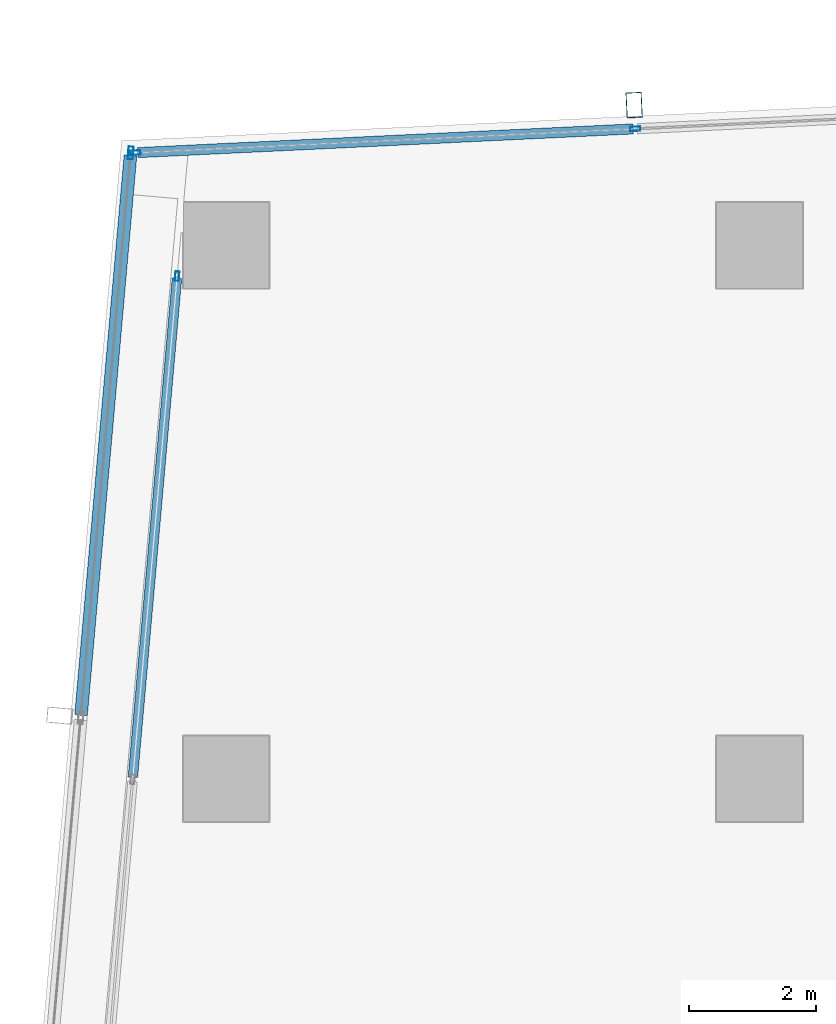
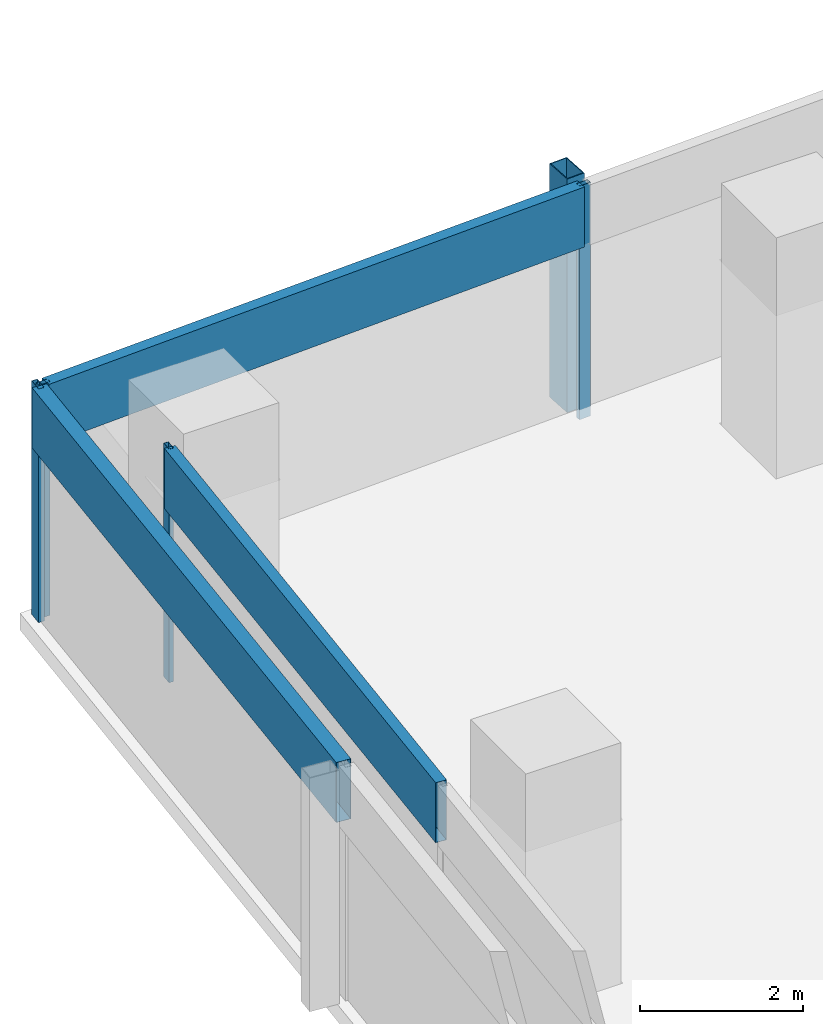
# One storey, part 16 of 39: 8 members, 3 elements without a shape of their own.
"""IFC4 building model written with IfcOpenShell, lengths in metres."""

import ifcopenshell
import ifcopenshell.guid

model = None  # the IFC model being written
_history = None  # IfcOwnerHistory: only IFC2X3 demands one
_inside = {}  # id of a spatial element -> (the spatial element, [elements in it])
_under = {}  # id of a project, library or spatial element -> (it, [spatial elements below it])
_declared = {}  # id of a project -> (the project, [libraries it declares])
_typed = {}  # id of a type object -> (the type object, [elements of that type])
_made_of = {}  # id of a material, layer set ... -> (it, [elements and type objects made of it])


def new_model(schema):
    """Start an empty IFC model of exactly this schema.

    Asked for "IFC4X3", IfcOpenShell would pick the latest addendum, in which some entities
    have other attributes; the version numbers below select the first issue.
    IFC2X3 requires an IfcOwnerHistory on every rooted entity: one is made here for all.
    """
    global model, _history
    if schema == "IFC4X3":
        model = ifcopenshell.file(schema_version=(4, 3, 0, 0))
    else:
        model = ifcopenshell.file(schema=schema)
    _inside.clear()
    _under.clear()
    _declared.clear()
    _typed.clear()
    _made_of.clear()
    _history = None
    if model.schema == "IFC2X3":
        org = make("IfcOrganization", Name="unknown")
        user = make(
            "IfcPersonAndOrganization",
            ThePerson=make("IfcPerson", FamilyName="unknown"),
            TheOrganization=org,
        )
        app = make(
            "IfcApplication",
            ApplicationDeveloper=org,
            Version="unknown",
            ApplicationFullName="unknown",
            ApplicationIdentifier="unknown",
        )
        _history = make(
            "IfcOwnerHistory",
            OwningUser=user,
            OwningApplication=app,
            ChangeAction="ADDED",
            CreationDate=0,
        )
    return model


def make(cls, **values):
    """One entity of the class cls with the attributes given. An attribute that is None is left unset."""
    return model.create_entity(
        cls, **{name: value for name, value in values.items() if value is not None}
    )


def rooted(cls, **values):
    """An entity with a GlobalId (a new one), such as an element, a storey or a relation."""
    return make(cls, GlobalId=ifcopenshell.guid.new(), OwnerHistory=_history, **values)


def si_unit(unit_type, name, prefix=None):
    """IfcSIUnit, for example si_unit("LENGTHUNIT", "METRE", prefix="MILLI")."""
    return make("IfcSIUnit", UnitType=unit_type, Prefix=prefix, Name=name)


def assignment(units):
    """IfcUnitAssignment: the units of a project."""
    return None if units is None else make("IfcUnitAssignment", Units=units)


def point(xyz):
    """IfcCartesianPoint."""
    return None if xyz is None else make("IfcCartesianPoint", Coordinates=xyz)


def direction(xyz):
    """IfcDirection."""
    return None if xyz is None else make("IfcDirection", DirectionRatios=xyz)


def frame(location, z_axis=None, x_axis=None):
    """IfcAxis2Placement3D, a coordinate frame: its origin and axes. An axis left out is left unset."""
    return make(
        "IfcAxis2Placement3D",
        Location=point(location),
        Axis=direction(z_axis),
        RefDirection=direction(x_axis),
    )


def frame_2d(location, x_axis=None):
    """IfcAxis2Placement2D, a coordinate frame in the plane: its origin and x axis."""
    return make(
        "IfcAxis2Placement2D", Location=point(location), RefDirection=direction(x_axis)
    )


def origin():
    """The frame at (0, 0, 0) with its axes left unset."""
    return frame((0.0, 0.0, 0.0))


def origin_2d():
    """The frame at (0, 0) in the plane with its x axis left unset."""
    return frame_2d((0.0, 0.0))


def place(relative_to, where):
    """IfcLocalPlacement: puts the frame where relative to a parent placement (None: the world)."""
    return make(
        "IfcLocalPlacement", PlacementRelTo=relative_to, RelativePlacement=where
    )


def context(
    kind, dimensions, precision=None, world=None, true_north=None, identifier=None
):
    """IfcGeometricRepresentationContext, for example the 3D "Model" context."""
    return make(
        "IfcGeometricRepresentationContext",
        ContextIdentifier=identifier,
        ContextType=kind,
        CoordinateSpaceDimension=dimensions,
        Precision=precision,
        WorldCoordinateSystem=world,
        TrueNorth=true_north,
    )


def subcontext(parent, identifier, kind, view, scale=None):
    """IfcGeometricRepresentationSubContext, for example "Body" below "Model"."""
    return make(
        "IfcGeometricRepresentationSubContext",
        ContextIdentifier=identifier,
        ContextType=kind,
        ParentContext=parent,
        TargetScale=scale,
        TargetView=view,
    )


def project(units=None, contexts=None):
    """IfcProject with its units and contexts."""
    return rooted(
        "IfcProject",
        Name="project",
        RepresentationContexts=contexts,
        UnitsInContext=assignment(units),
    )


def spatial(cls, under=None, at=None, **own):
    """A site, building, storey or space (cls), placed at a placement, below another one or the project."""
    s = rooted(cls, ObjectPlacement=at, **own)
    if under is not None:
        _under.setdefault(under.id(), (under, []))[1].append(s)
    return s


def profile(cls, at=None, kind="AREA", **sizes):
    """A parametric profile (cls). Its sizes go by their IFC names, for example OverallWidth=200.0."""
    return make(cls, ProfileType=kind, Position=at, **sizes)


def hollow_rectangle(**sizes):
    """IfcRectangleHollowProfileDef."""
    return profile("IfcRectangleHollowProfileDef", **sizes)


def extrude(swept, where, along, depth):
    """IfcExtrudedAreaSolid: the profile swept, set in the frame where, extruded along a direction by depth."""
    return make(
        "IfcExtrudedAreaSolid",
        SweptArea=swept,
        Position=where,
        ExtrudedDirection=direction(along),
        Depth=depth,
    )


def shape(context_of_items, identifier, shape_type, items):
    """IfcShapeRepresentation: the items that make up one representation, for example the "Body"."""
    return make(
        "IfcShapeRepresentation",
        ContextOfItems=context_of_items,
        RepresentationIdentifier=identifier,
        RepresentationType=shape_type,
        Items=items,
    )


def material(Name=None, Category=None):
    """IfcMaterial."""
    return make("IfcMaterial", Name=Name, Category=Category)


def material_profile(
    of_material, cross_section, Name=None, Category=None, Priority=None
):
    """IfcMaterialProfile: a cross section and its material."""
    return make(
        "IfcMaterialProfile",
        Name=Name,
        Material=of_material,
        Profile=cross_section,
        Priority=Priority,
        Category=Category,
    )


def profile_set(profiles, Name=None, composite=None):
    """IfcMaterialProfileSet."""
    return make(
        "IfcMaterialProfileSet",
        Name=Name,
        MaterialProfiles=profiles,
        CompositeProfile=composite,
    )


def made_of(thing, what):
    """Note that an element or type object is made of a material, layer set ...; save() writes the relation."""
    if what is not None:
        _made_of.setdefault(what.id(), (what, []))[1].append(thing)
    return thing


def type_object(cls, material=None, **own):
    """A type object (cls), such as IfcWallType, which elements share."""
    return made_of(rooted(cls, **own), material)


def element(
    cls,
    number,
    at=None,
    inside=None,
    cuts=None,
    type_object=None,
    material=None,
    context=None,
    identifier="Body",
    shape_type=None,
    held_by="IfcProductDefinitionShape",
    body=None,
    shapes=None,
    **own,
):
    """One element of the class cls, such as IfcWall. Its Tag is "e" and its number.

    at: its placement. inside: the storey or other place that contains it. cuts: it is an
    opening in that element (IfcRelVoidsElement). A single representation is given by context,
    identifier, shape_type and body (its items); several are given by shapes. held_by: the class
    of the entity that holds the representations. save() writes the other relations.
    """
    e = rooted(cls, Tag="e%d" % number, ObjectPlacement=at, **own)
    if body is not None:
        shapes = [shape(context, identifier, shape_type, body)]
    if shapes is not None:
        e.Representation = make(held_by, Representations=shapes)
    if inside is not None:
        _inside.setdefault(inside.id(), (inside, []))[1].append(e)
    if cuts is not None:
        rooted(
            "IfcRelVoidsElement", RelatingBuildingElement=cuts, RelatedOpeningElement=e
        )
    if type_object is not None:
        _typed.setdefault(type_object.id(), (type_object, []))[1].append(e)
    return made_of(e, material)


def aggregate(whole, parts):
    """IfcRelAggregates: a whole, such as a stair, and the parts it consists of."""
    return rooted("IfcRelAggregates", RelatingObject=whole, RelatedObjects=parts)


def save(model, path):
    """Write the relations noted so far, then the file.

    IfcRelAggregates (storeys below a building ...), IfcRelContainedInSpatialStructure (elements
    in a storey), IfcRelDefinesByType, IfcRelAssociatesMaterial and IfcRelDeclares: one each for
    every whole, place, type object, material and project.
    """
    for whole, parts in _under.values():
        aggregate(whole, parts)
    for where, things in _inside.values():
        rooted(
            "IfcRelContainedInSpatialStructure",
            RelatedElements=things,
            RelatingStructure=where,
        )
    for kind, things in _typed.values():
        rooted("IfcRelDefinesByType", RelatedObjects=things, RelatingType=kind)
    for what, things in _made_of.values():
        rooted("IfcRelAssociatesMaterial", RelatedObjects=things, RelatingMaterial=what)
    for by, libraries in _declared.values():
        rooted("IfcRelDeclares", RelatingContext=by, RelatedDefinitions=libraries)
    model.write(path)


model = new_model("IFC4")

# Units and contexts
model_context = context("Model", 3, precision=1e-05, world=origin(), true_north=direction((0.0, 1.0)))
body_context = subcontext(model_context, "Body", "Model", "MODEL_VIEW")
ifc_project = project(units=[si_unit("LENGTHUNIT", "METRE"), si_unit("AREAUNIT", "SQUARE_METRE"), si_unit("VOLUMEUNIT", "CUBIC_METRE"), si_unit("PLANEANGLEUNIT", "RADIAN"), si_unit("MASSUNIT", "GRAM", prefix="KILO")], contexts=[model_context])

# Site, building, storey
site_placement = place(None, origin())
site = spatial("IfcSite", under=ifc_project, at=site_placement, CompositionType="ELEMENT")
building_placement = place(site_placement, origin())
building = spatial("IfcBuilding", under=site, at=building_placement, Name="Rekha Terrace Tower", CompositionType="ELEMENT")
storey_placement = place(building_placement, frame((0.0, 0.0, 221.449951171875)))
storey = spatial("IfcBuildingStorey", under=building, at=storey_placement, Name="L56", CompositionType="ELEMENT", Elevation=221.449951171875)

# Curtain wall, member
ifc_material_1 = material(Name="Aluminium framing", Category="aluminium")
curtain_wall_type_1 = type_object("IfcCurtainWallType", Name="CW3 north unitised glazing", PredefinedType="USERDEFINED", material=ifc_material_1)
curtain_wall_1_placement = place(storey_placement, origin())
curtain_wall_1 = element("IfcCurtainWall", 1, at=curtain_wall_1_placement, inside=storey, type_object=curtain_wall_type_1, Name="CW3 unitised curtain wall", ObjectType="UNITISED CURTAIN WALL", PredefinedType="USERDEFINED")
ifc_material_2 = material(Name="Steel S355 with fluorocarbon finish", Category="steel")
ifc_material_profile_1 = material_profile(ifc_material_2, hollow_rectangle(XDim=0.25, YDim=0.39990234375, WallThickness=0.012451171875, at=origin_2d()), Name="RHS400x250x12.5")
ifc_profile_set_1 = profile_set([ifc_material_profile_1], Name="Steel S355 with fluorocarbon finish")
member_type_1 = type_object("IfcMemberType", Name="BL1 facade blade RHS 400 x 250", PredefinedType="USERDEFINED", material=ifc_profile_set_1)
member_1_placement = place(storey_placement, frame((14.824951171875, 61.01123046875, 0.0), z_axis=(0.0, 0.0, 1.0), x_axis=(-0.998858913274, -0.04775846913, 0.0)))
member_1 = element("IfcMember", 2, at=member_1_placement, type_object=member_type_1, Name="Facade blade", ObjectType="FACADE BLADE", PredefinedType="USERDEFINED", context=body_context, shape_type="SweptSolid", body=[
    extrude(hollow_rectangle(XDim=0.25, YDim=0.39990234375, WallThickness=0.012451171875, at=origin_2d()), origin(), (0.0, 0.0, 1.0), 3.5),
])

# Curtain wall, members
curtain_wall_type_2 = type_object("IfcCurtainWallType", Name="CW1 double skin inner glazing", PredefinedType="USERDEFINED", material=ifc_material_1)
curtain_wall_2_placement = place(storey_placement, origin())
curtain_wall_2 = element("IfcCurtainWall", 3, at=curtain_wall_2_placement, inside=storey, type_object=curtain_wall_type_2, Name="CW1 double skin inner glazing", ObjectType="DOUBLE SKIN INNER GLAZING", PredefinedType="USERDEFINED")
ifc_material_3 = material(Name="Aluminium mullion section", Category="aluminium")
ifc_material_profile_2 = material_profile(ifc_material_3, hollow_rectangle(XDim=0.06494140625, YDim=0.14990234375, WallThickness=0.00390625, at=origin_2d()), Name="AL RHS 65x150")
ifc_profile_set_2 = profile_set([ifc_material_profile_2], Name="Aluminium mullion section")
member_type_2 = type_object("IfcMemberType", Name="CW1 mullion RHS 65 x 150", PredefinedType="MULLION", material=ifc_profile_set_2)
member_2_placement = place(storey_placement, frame((7.625732421875, 58.316650390625, 0.0), z_axis=(0.0, 0.0, 1.0), x_axis=(0.996124185424, -0.087957985505, 0.0)))
member_2 = element("IfcMember", 4, at=member_2_placement, type_object=member_type_2, Name="CW1 mullion 1", PredefinedType="MULLION", context=body_context, shape_type="SweptSolid", body=[
    extrude(hollow_rectangle(XDim=0.06494140625, YDim=0.14990234375, WallThickness=0.00390625, at=origin_2d()), origin(), (0.0, 0.0, 1.0), 3.5),
])
ifc_material_4 = material(Name="Insulated aluminium spandrel box", Category="aluminium")
ifc_material_profile_3 = material_profile(ifc_material_4, hollow_rectangle(XDim=0.14990234375, YDim=0.89990234375, WallThickness=0.0029296875, at=origin_2d()), Name="AL SPANDREL BOX 150x900")
ifc_profile_set_3 = profile_set([ifc_material_profile_3], Name="Insulated aluminium spandrel box")
member_type_3 = type_object("IfcMemberType", Name="CW1 spandrel transom 150 x 900", PredefinedType="USERDEFINED", material=ifc_profile_set_3)
member_3_placement = place(storey_placement, frame((7.622802734375, 58.2841796875, 3.050048828125), z_axis=(-0.08795879841, -0.996124113644, 0.0), x_axis=(0.996124113644, -0.08795879841, 0.0)))
member_3 = element("IfcMember", 5, at=member_3_placement, type_object=member_type_3, Name="CW1 spandrel transom 1", ObjectType="TRANSOM", PredefinedType="USERDEFINED", context=body_context, shape_type="SweptSolid", body=[
    extrude(hollow_rectangle(XDim=0.14990234375, YDim=0.89990234375, WallThickness=0.0029296875, at=origin_2d()), origin(), (0.0, 0.0, 1.0), 7.893798828125),
])
aggregate(curtain_wall_2, [member_2, member_3])

curtain_wall_type_3 = type_object("IfcCurtainWallType", Name="CW2 double skin outer glazing", PredefinedType="USERDEFINED", material=ifc_material_1)
curtain_wall_3_placement = place(storey_placement, origin())
curtain_wall_3 = element("IfcCurtainWall", 6, at=curtain_wall_3_placement, inside=storey, type_object=curtain_wall_type_3, Name="CW2 double skin outer glazing", ObjectType="DOUBLE SKIN OUTER GLAZING", PredefinedType="USERDEFINED")
ifc_material_profile_4 = material_profile(ifc_material_3, hollow_rectangle(XDim=0.080078125, YDim=0.199951171875, WallThickness=0.00390625, at=origin_2d()), Name="AL RHS 80x200")
ifc_profile_set_4 = profile_set([ifc_material_profile_4], Name="Aluminium mullion section")
member_type_4 = type_object("IfcMemberType", Name="CW2 mullion RHS 80 x 200", PredefinedType="MULLION", material=ifc_profile_set_4)
member_4_placement = place(storey_placement, frame((6.8935546875, 60.257080078125, 0.0), z_axis=(0.0, 0.0, 1.0), x_axis=(0.996124185428, -0.087957985453, 0.0)))
member_4 = element("IfcMember", 7, at=member_4_placement, type_object=member_type_4, Name="CW2 mullion 1", PredefinedType="MULLION", context=body_context, shape_type="SweptSolid", body=[
    extrude(hollow_rectangle(XDim=0.080078125, YDim=0.199951171875, WallThickness=0.00390625, at=origin_2d()), origin(), (0.0, 0.0, 1.0), 3.5),
])
ifc_material_profile_5 = material_profile(ifc_material_4, hollow_rectangle(XDim=0.199951171875, YDim=0.89990234375, WallThickness=0.0029296875, at=origin_2d()), Name="AL SPANDREL BOX 200x900")
ifc_profile_set_5 = profile_set([ifc_material_profile_5], Name="Insulated aluminium spandrel box")
member_type_5 = type_object("IfcMemberType", Name="CW2 spandrel transom 200 x 900", PredefinedType="USERDEFINED", material=ifc_profile_set_5)
member_5_placement = place(storey_placement, frame((6.89013671875, 60.217041015625, 3.050048828125), z_axis=(-0.087955809876, -0.99612437753, 0.0), x_axis=(0.99612437753, -0.087955809876, 0.0)))
member_5 = element("IfcMember", 8, at=member_5_placement, type_object=member_type_5, Name="CW2 spandrel transom 1", ObjectType="TRANSOM", PredefinedType="USERDEFINED", context=body_context, shape_type="SweptSolid", body=[
    extrude(hollow_rectangle(XDim=0.199951171875, YDim=0.89990234375, WallThickness=0.0029296875, at=origin_2d()), origin(), (0.0, 0.0, 1.0), 8.848876953125),
])
aggregate(curtain_wall_3, [member_4, member_5])

# Member
ifc_material_profile_6 = material_profile(ifc_material_3, hollow_rectangle(XDim=0.070068359375, YDim=0.159912109375, WallThickness=0.00390625, at=origin_2d()), Name="AL RHS 70x160")
ifc_profile_set_6 = profile_set([ifc_material_profile_6], Name="Aluminium mullion section")
member_type_6 = type_object("IfcMemberType", Name="CW3 mullion RHS 70 x 160", PredefinedType="MULLION", material=ifc_profile_set_6)
member_6_placement = place(storey_placement, frame((14.843017578125, 60.63671875, 0.0), z_axis=(0.0, 0.0, 1.0), x_axis=(0.047758616983, -0.998858906204, 0.0)))
member_6 = element("IfcMember", 9, at=member_6_placement, type_object=member_type_6, Name="CW3 mullion 5", PredefinedType="MULLION", context=body_context, shape_type="SweptSolid", body=[
    extrude(hollow_rectangle(XDim=0.070068359375, YDim=0.159912109375, WallThickness=0.00390625, at=origin_2d()), origin(), (0.0, 0.0, 1.0), 3.5),
])

member_7_placement = place(storey_placement, frame((6.96875, 60.26025390625, 0.0), z_axis=(0.0, 0.0, 1.0), x_axis=(0.047758616983, -0.998858906204, 0.0)))
member_7 = element("IfcMember", 10, at=member_7_placement, type_object=member_type_6, Name="CW3 mullion 6", PredefinedType="MULLION", context=body_context, shape_type="SweptSolid", body=[
    extrude(hollow_rectangle(XDim=0.070068359375, YDim=0.159912109375, WallThickness=0.00390625, at=origin_2d()), origin(), (0.0, 0.0, 1.0), 3.5),
])

ifc_material_profile_7 = material_profile(ifc_material_4, hollow_rectangle(XDim=0.159912109375, YDim=0.89990234375, WallThickness=0.0029296875, at=origin_2d()), Name="AL SPANDREL BOX 160x900")
ifc_profile_set_7 = profile_set([ifc_material_profile_7], Name="Insulated aluminium spandrel box")
member_type_7 = type_object("IfcMemberType", Name="CW3 spandrel transom 160 x 900", PredefinedType="USERDEFINED", material=ifc_profile_set_7)
member_8_placement = place(storey_placement, frame((14.807861328125, 60.635009765625, 3.050048828125), z_axis=(-0.998859425172, -0.047747761666, 0.0), x_axis=(0.047747761666, -0.998859425172, 0.0)))
member_8 = element("IfcMember", 11, at=member_8_placement, type_object=member_type_7, Name="CW3 spandrel transom 5", ObjectType="TRANSOM", PredefinedType="USERDEFINED", context=body_context, shape_type="SweptSolid", body=[
    extrude(hollow_rectangle(XDim=0.159912109375, YDim=0.89990234375, WallThickness=0.0029296875, at=origin_2d()), origin(), (0.0, 0.0, 1.0), 7.81298828125),
])

aggregate(curtain_wall_1, [member_6, member_7, member_8, member_1])

save(model, "model.ifc")
